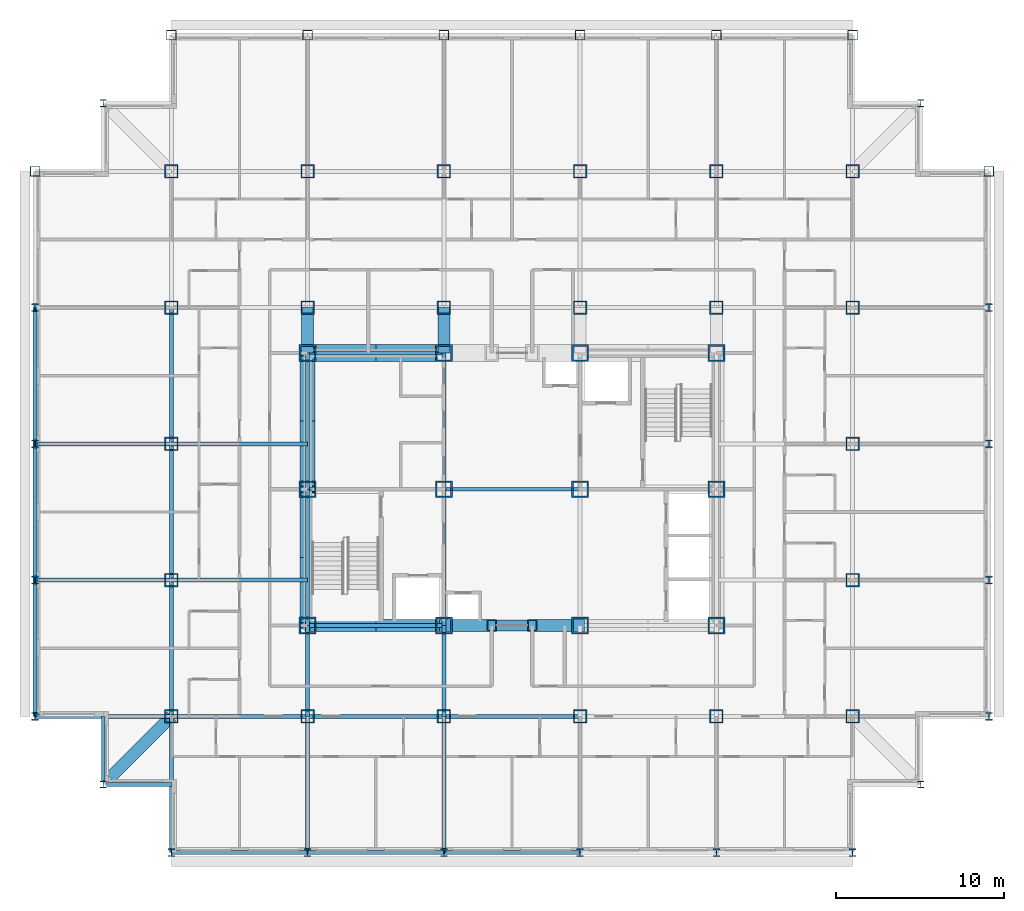
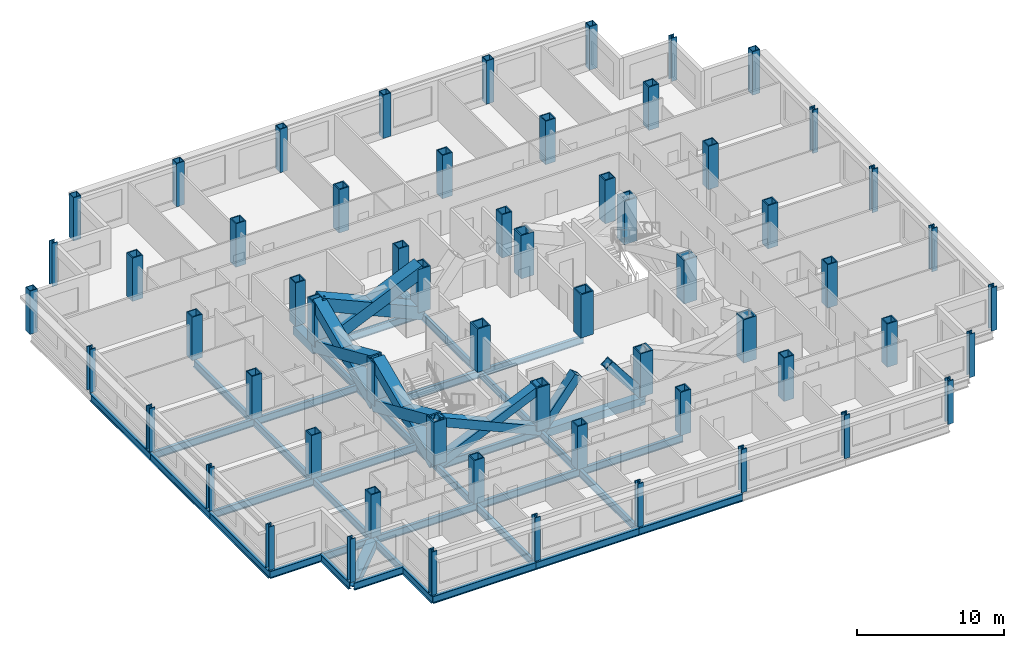
# One storey, part 1 of 12: 60 columns, 36 beams, 10 members.
"""IFC4 building model written with IfcOpenShell, lengths in metres."""

import ifcopenshell
import ifcopenshell.guid

model = None  # the IFC model being written
_history = None  # IfcOwnerHistory: only IFC2X3 demands one
_inside = {}  # id of a spatial element -> (the spatial element, [elements in it])
_under = {}  # id of a project, library or spatial element -> (it, [spatial elements below it])
_declared = {}  # id of a project -> (the project, [libraries it declares])
_typed = {}  # id of a type object -> (the type object, [elements of that type])
_made_of = {}  # id of a material, layer set ... -> (it, [elements and type objects made of it])


def new_model(schema):
    """Start an empty IFC model of exactly this schema.

    Asked for "IFC4X3", IfcOpenShell would pick the latest addendum, in which some entities
    have other attributes; the version numbers below select the first issue.
    IFC2X3 requires an IfcOwnerHistory on every rooted entity: one is made here for all.
    """
    global model, _history
    if schema == "IFC4X3":
        model = ifcopenshell.file(schema_version=(4, 3, 0, 0))
    else:
        model = ifcopenshell.file(schema=schema)
    _inside.clear()
    _under.clear()
    _declared.clear()
    _typed.clear()
    _made_of.clear()
    _history = None
    if model.schema == "IFC2X3":
        org = make("IfcOrganization", Name="unknown")
        user = make(
            "IfcPersonAndOrganization",
            ThePerson=make("IfcPerson", FamilyName="unknown"),
            TheOrganization=org,
        )
        app = make(
            "IfcApplication",
            ApplicationDeveloper=org,
            Version="unknown",
            ApplicationFullName="unknown",
            ApplicationIdentifier="unknown",
        )
        _history = make(
            "IfcOwnerHistory",
            OwningUser=user,
            OwningApplication=app,
            ChangeAction="ADDED",
            CreationDate=0,
        )
    return model


def make(cls, **values):
    """One entity of the class cls with the attributes given. An attribute that is None is left unset."""
    return model.create_entity(
        cls, **{name: value for name, value in values.items() if value is not None}
    )


def rooted(cls, **values):
    """An entity with a GlobalId (a new one), such as an element, a storey or a relation."""
    return make(cls, GlobalId=ifcopenshell.guid.new(), OwnerHistory=_history, **values)


def si_unit(unit_type, name, prefix=None):
    """IfcSIUnit, for example si_unit("LENGTHUNIT", "METRE", prefix="MILLI")."""
    return make("IfcSIUnit", UnitType=unit_type, Prefix=prefix, Name=name)


def assignment(units):
    """IfcUnitAssignment: the units of a project."""
    return None if units is None else make("IfcUnitAssignment", Units=units)


def point(xyz):
    """IfcCartesianPoint."""
    return None if xyz is None else make("IfcCartesianPoint", Coordinates=xyz)


def direction(xyz):
    """IfcDirection."""
    return None if xyz is None else make("IfcDirection", DirectionRatios=xyz)


def frame(location, z_axis=None, x_axis=None):
    """IfcAxis2Placement3D, a coordinate frame: its origin and axes. An axis left out is left unset."""
    return make(
        "IfcAxis2Placement3D",
        Location=point(location),
        Axis=direction(z_axis),
        RefDirection=direction(x_axis),
    )


def frame_2d(location, x_axis=None):
    """IfcAxis2Placement2D, a coordinate frame in the plane: its origin and x axis."""
    return make(
        "IfcAxis2Placement2D", Location=point(location), RefDirection=direction(x_axis)
    )


def origin():
    """The frame at (0, 0, 0) with its axes left unset."""
    return frame((0.0, 0.0, 0.0))


def origin_2d():
    """The frame at (0, 0) in the plane with its x axis left unset."""
    return frame_2d((0.0, 0.0))


def place(relative_to, where):
    """IfcLocalPlacement: puts the frame where relative to a parent placement (None: the world)."""
    return make(
        "IfcLocalPlacement", PlacementRelTo=relative_to, RelativePlacement=where
    )


def context(
    kind, dimensions, precision=None, world=None, true_north=None, identifier=None
):
    """IfcGeometricRepresentationContext, for example the 3D "Model" context."""
    return make(
        "IfcGeometricRepresentationContext",
        ContextIdentifier=identifier,
        ContextType=kind,
        CoordinateSpaceDimension=dimensions,
        Precision=precision,
        WorldCoordinateSystem=world,
        TrueNorth=true_north,
    )


def subcontext(parent, identifier, kind, view, scale=None):
    """IfcGeometricRepresentationSubContext, for example "Body" below "Model"."""
    return make(
        "IfcGeometricRepresentationSubContext",
        ContextIdentifier=identifier,
        ContextType=kind,
        ParentContext=parent,
        TargetScale=scale,
        TargetView=view,
    )


def project(units=None, contexts=None):
    """IfcProject with its units and contexts."""
    return rooted(
        "IfcProject",
        Name="project",
        RepresentationContexts=contexts,
        UnitsInContext=assignment(units),
    )


def spatial(cls, under=None, at=None, **own):
    """A site, building, storey or space (cls), placed at a placement, below another one or the project."""
    s = rooted(cls, ObjectPlacement=at, **own)
    if under is not None:
        _under.setdefault(under.id(), (under, []))[1].append(s)
    return s


def profile(cls, at=None, kind="AREA", **sizes):
    """A parametric profile (cls). Its sizes go by their IFC names, for example OverallWidth=200.0."""
    return make(cls, ProfileType=kind, Position=at, **sizes)


def hollow_rectangle(**sizes):
    """IfcRectangleHollowProfileDef."""
    return profile("IfcRectangleHollowProfileDef", **sizes)


def i_section(**sizes):
    """IfcIShapeProfileDef."""
    return profile("IfcIShapeProfileDef", **sizes)


def extrude(swept, where, along, depth):
    """IfcExtrudedAreaSolid: the profile swept, set in the frame where, extruded along a direction by depth."""
    return make(
        "IfcExtrudedAreaSolid",
        SweptArea=swept,
        Position=where,
        ExtrudedDirection=direction(along),
        Depth=depth,
    )


def shape(context_of_items, identifier, shape_type, items):
    """IfcShapeRepresentation: the items that make up one representation, for example the "Body"."""
    return make(
        "IfcShapeRepresentation",
        ContextOfItems=context_of_items,
        RepresentationIdentifier=identifier,
        RepresentationType=shape_type,
        Items=items,
    )


def material(Name=None, Category=None):
    """IfcMaterial."""
    return make("IfcMaterial", Name=Name, Category=Category)


def material_profile(
    of_material, cross_section, Name=None, Category=None, Priority=None
):
    """IfcMaterialProfile: a cross section and its material."""
    return make(
        "IfcMaterialProfile",
        Name=Name,
        Material=of_material,
        Profile=cross_section,
        Priority=Priority,
        Category=Category,
    )


def profile_set(profiles, Name=None, composite=None):
    """IfcMaterialProfileSet."""
    return make(
        "IfcMaterialProfileSet",
        Name=Name,
        MaterialProfiles=profiles,
        CompositeProfile=composite,
    )


def made_of(thing, what):
    """Note that an element or type object is made of a material, layer set ...; save() writes the relation."""
    if what is not None:
        _made_of.setdefault(what.id(), (what, []))[1].append(thing)
    return thing


def type_object(cls, material=None, **own):
    """A type object (cls), such as IfcWallType, which elements share."""
    return made_of(rooted(cls, **own), material)


def element(
    cls,
    number,
    at=None,
    inside=None,
    cuts=None,
    type_object=None,
    material=None,
    context=None,
    identifier="Body",
    shape_type=None,
    held_by="IfcProductDefinitionShape",
    body=None,
    shapes=None,
    **own,
):
    """One element of the class cls, such as IfcWall. Its Tag is "e" and its number.

    at: its placement. inside: the storey or other place that contains it. cuts: it is an
    opening in that element (IfcRelVoidsElement). A single representation is given by context,
    identifier, shape_type and body (its items); several are given by shapes. held_by: the class
    of the entity that holds the representations. save() writes the other relations.
    """
    e = rooted(cls, Tag="e%d" % number, ObjectPlacement=at, **own)
    if body is not None:
        shapes = [shape(context, identifier, shape_type, body)]
    if shapes is not None:
        e.Representation = make(held_by, Representations=shapes)
    if inside is not None:
        _inside.setdefault(inside.id(), (inside, []))[1].append(e)
    if cuts is not None:
        rooted(
            "IfcRelVoidsElement", RelatingBuildingElement=cuts, RelatedOpeningElement=e
        )
    if type_object is not None:
        _typed.setdefault(type_object.id(), (type_object, []))[1].append(e)
    return made_of(e, material)


def aggregate(whole, parts):
    """IfcRelAggregates: a whole, such as a stair, and the parts it consists of."""
    return rooted("IfcRelAggregates", RelatingObject=whole, RelatedObjects=parts)


def save(model, path):
    """Write the relations noted so far, then the file.

    IfcRelAggregates (storeys below a building ...), IfcRelContainedInSpatialStructure (elements
    in a storey), IfcRelDefinesByType, IfcRelAssociatesMaterial and IfcRelDeclares: one each for
    every whole, place, type object, material and project.
    """
    for whole, parts in _under.values():
        aggregate(whole, parts)
    for where, things in _inside.values():
        rooted(
            "IfcRelContainedInSpatialStructure",
            RelatedElements=things,
            RelatingStructure=where,
        )
    for kind, things in _typed.values():
        rooted("IfcRelDefinesByType", RelatedObjects=things, RelatingType=kind)
    for what, things in _made_of.values():
        rooted("IfcRelAssociatesMaterial", RelatedObjects=things, RelatingMaterial=what)
    for by, libraries in _declared.values():
        rooted("IfcRelDeclares", RelatingContext=by, RelatedDefinitions=libraries)
    model.write(path)


model = new_model("IFC4")

# Units and contexts
model_context = context("Model", 3, precision=1e-05, world=origin(), true_north=direction((0.0, 1.0)))
body_context = subcontext(model_context, "Body", "Model", "MODEL_VIEW")
ifc_project = project(units=[si_unit("LENGTHUNIT", "METRE"), si_unit("AREAUNIT", "SQUARE_METRE"), si_unit("VOLUMEUNIT", "CUBIC_METRE"), si_unit("PLANEANGLEUNIT", "RADIAN"), si_unit("MASSUNIT", "GRAM", prefix="KILO")], contexts=[model_context])

# Site, building, storey
site_placement = place(None, origin())
site = spatial("IfcSite", under=ifc_project, at=site_placement, CompositionType="ELEMENT")
building_placement = place(site_placement, origin())
building = spatial("IfcBuilding", under=site, at=building_placement, Name="Kopane Lantern Tower", CompositionType="ELEMENT")
storey_placement = place(building_placement, frame((0.0, 0.0, 184.800048828125)))
storey = spatial("IfcBuildingStorey", under=building, at=storey_placement, Name="L47", CompositionType="ELEMENT", Elevation=184.800048828125)

# Columns
ifc_material_1 = material(Name="Steel S355JR", Category="steel")
ifc_material_profile_1 = material_profile(ifc_material_1, hollow_rectangle(XDim=1.0, YDim=1.0, WallThickness=0.10009765625, at=origin_2d()), Name="BOX 1000x1000x100")
ifc_profile_set_1 = profile_set([ifc_material_profile_1], Name="Steel S355JR")
column_type_1 = type_object("IfcColumnType", Name="COLUMN BOX 1000x1000x100", PredefinedType="COLUMN", material=ifc_profile_set_1)
for number, where, z_axis, x_axis, name in (
    (1, (16.199951171875, 24.300048828125, 0.0), (0.0, 0.0, 1.0), (1.0, 0.0, 0.0), "Column 4/E L47"),
    (2, (16.199951171875, 32.39990234375, 0.0), (0.0, 0.0, 1.0), (1.0, 0.0, 0.0), "Column 4/F L47"),
    (3, (16.199951171875, 40.5, 0.0), (0.0, 0.0, 1.0), (1.0, 0.0, 0.0), "Column 4/G L47"),
    (4, (24.300048828125, 24.300048828125, 0.0), (0.0, 0.0, 1.0), (1.0, 0.0, 0.0), "Column 5/E L47"),
    (5, (24.300048828125, 32.39990234375, 0.0), (0.0, 0.0, 1.0), (1.0, 0.0, 0.0), "Column 5/F L47"),
    (6, (24.300048828125, 40.5, 0.0), (0.0, 0.0, 1.0), (1.0, 0.0, 0.0), "Column 5/G L47"),
    (7, (32.39990234375, 24.300048828125, 0.0), (0.0, 0.0, 1.0), (1.0, 0.0, 0.0), "Column 6/E L47"),
    (8, (32.39990234375, 32.39990234375, 0.0), (0.0, 0.0, 1.0), (1.0, 0.0, 0.0), "Column 6/F L47"),
    (9, (32.39990234375, 40.5, 0.0), (0.0, 0.0, 1.0), (1.0, 0.0, 0.0), "Column 6/G L47"),
    (10, (40.5, 24.300048828125, 0.0), (0.0, 0.0, 1.0), (1.0, 0.0, 0.0), "Column 7/E L47"),
    (11, (40.5, 32.39990234375, 0.0), (0.0, 0.0, 1.0), (1.0, 0.0, 0.0), "Column 7/F L47"),
    (12, (40.5, 40.5, 0.0), (0.0, 0.0, 1.0), (1.0, 0.0, 0.0), "Column 7/G L47"),
):
    element("IfcColumn", number, at=place(storey_placement, frame(where, z_axis=z_axis, x_axis=x_axis)), inside=storey, type_object=column_type_1, Name=name, PredefinedType="COLUMN", context=body_context, shape_type="SweptSolid", body=[
        extrude(hollow_rectangle(XDim=1.0, YDim=1.0, WallThickness=0.10009765625, at=origin_2d()), origin(), (0.0, 0.0, 1.0), 3.599853515625),
    ])
ifc_material_2 = material(Name="Steel S355JR", Category="steel")
ifc_material_profile_2 = material_profile(ifc_material_2, hollow_rectangle(XDim=0.60009765625, YDim=0.60009765625, WallThickness=0.050048828125, at=origin_2d()), Name="BOX 600x600x50")
ifc_profile_set_2 = profile_set([ifc_material_profile_2], Name="Steel S355JR")
column_type_2 = type_object("IfcColumnType", Name="COLUMN BOX 600x600x50", PredefinedType="COLUMN", material=ifc_profile_set_2)
for number, where, z_axis, x_axis, name in (
    (13, (0.0, 51.300048828125, 0.0), (0.0, 0.0, 1.0), (1.0, 0.0, 0.0), "Column 2/Q6 L47"),
    (14, (8.10009765625, 59.39990234375, 0.0), (0.0, 0.0, 1.0), (1.0, 0.0, 0.0), "Column 3/Q7 L47"),
    (15, (16.199951171875, 59.39990234375, 0.0), (0.0, 0.0, 1.0), (1.0, 0.0, 0.0), "Column 4/Q7 L47"),
    (16, (24.300048828125, 59.39990234375, 0.0), (0.0, 0.0, 1.0), (1.0, 0.0, 0.0), "Column 5/Q7 L47"),
    (17, (32.39990234375, 59.39990234375, 0.0), (0.0, 0.0, 1.0), (1.0, 0.0, 0.0), "Column 6/Q7 L47"),
    (18, (40.5, 59.39990234375, 0.0), (0.0, 0.0, 1.0), (1.0, 0.0, 0.0), "Column 7/Q7 L47"),
    (19, (48.60009765625, 59.39990234375, 0.0), (0.0, 0.0, 1.0), (1.0, 0.0, 0.0), "Column 8/Q7 L47"),
    (20, (56.699951171875, 51.300048828125, 0.0), (0.0, 0.0, 1.0), (1.0, 0.0, 0.0), "Column 9/Q6 L47"),
):
    element("IfcColumn", number, at=place(storey_placement, frame(where, z_axis=z_axis, x_axis=x_axis)), inside=storey, type_object=column_type_2, Name=name, PredefinedType="COLUMN", context=body_context, shape_type="SweptSolid", body=[
        extrude(hollow_rectangle(XDim=0.60009765625, YDim=0.60009765625, WallThickness=0.050048828125, at=origin_2d()), origin(), (0.0, 0.0, 1.0), 3.599853515625),
    ])
ifc_material_3 = material(Name="Steel S355JR", Category="steel")
ifc_material_profile_3 = material_profile(ifc_material_3, hollow_rectangle(XDim=0.800048828125, YDim=0.800048828125, WallThickness=0.080078125, at=origin_2d()), Name="BOX 800x800x80")
ifc_profile_set_3 = profile_set([ifc_material_profile_3], Name="Steel S355JR")
column_type_3 = type_object("IfcColumnType", Name="COLUMN BOX 800x800x80", PredefinedType="COLUMN", material=ifc_profile_set_3)
for number, where, z_axis, x_axis, name in (
    (21, (8.10009765625, 18.89990234375, 0.0), (0.0, 0.0, 1.0), (1.0, 0.0, 0.0), "Column 3/Q2 L47"),
    (22, (8.10009765625, 27.0, 0.0), (0.0, 0.0, 1.0), (1.0, 0.0, 0.0), "Column 3/Q3 L47"),
    (23, (8.10009765625, 35.10009765625, 0.0), (0.0, 0.0, 1.0), (1.0, 0.0, 0.0), "Column 3/Q4 L47"),
    (24, (8.10009765625, 43.199951171875, 0.0), (0.0, 0.0, 1.0), (1.0, 0.0, 0.0), "Column 3/Q5 L47"),
    (25, (8.10009765625, 51.300048828125, 0.0), (0.0, 0.0, 1.0), (1.0, 0.0, 0.0), "Column 3/Q6 L47"),
    (26, (16.199951171875, 18.89990234375, 0.0), (0.0, 0.0, 1.0), (1.0, 0.0, 0.0), "Column 4/Q2 L47"),
    (27, (16.199951171875, 43.199951171875, 0.0), (0.0, 0.0, 1.0), (1.0, 0.0, 0.0), "Column 4/Q5 L47"),
    (28, (16.199951171875, 51.300048828125, 0.0), (0.0, 0.0, 1.0), (1.0, 0.0, 0.0), "Column 4/Q6 L47"),
    (29, (24.300048828125, 18.89990234375, 0.0), (0.0, 0.0, 1.0), (1.0, 0.0, 0.0), "Column 5/Q2 L47"),
    (30, (24.300048828125, 43.199951171875, 0.0), (0.0, 0.0, 1.0), (1.0, 0.0, 0.0), "Column 5/Q5 L47"),
    (31, (24.300048828125, 51.300048828125, 0.0), (0.0, 0.0, 1.0), (1.0, 0.0, 0.0), "Column 5/Q6 L47"),
    (32, (32.39990234375, 18.89990234375, 0.0), (0.0, 0.0, 1.0), (1.0, 0.0, 0.0), "Column 6/Q2 L47"),
    (33, (32.39990234375, 43.199951171875, 0.0), (0.0, 0.0, 1.0), (1.0, 0.0, 0.0), "Column 6/Q5 L47"),
    (34, (32.39990234375, 51.300048828125, 0.0), (0.0, 0.0, 1.0), (1.0, 0.0, 0.0), "Column 6/Q6 L47"),
    (35, (40.5, 18.89990234375, 0.0), (0.0, 0.0, 1.0), (1.0, 0.0, 0.0), "Column 7/Q2 L47"),
    (36, (40.5, 43.199951171875, 0.0), (0.0, 0.0, 1.0), (1.0, 0.0, 0.0), "Column 7/Q5 L47"),
    (37, (40.5, 51.300048828125, 0.0), (0.0, 0.0, 1.0), (1.0, 0.0, 0.0), "Column 7/Q6 L47"),
    (38, (48.60009765625, 18.89990234375, 0.0), (0.0, 0.0, 1.0), (1.0, 0.0, 0.0), "Column 8/Q2 L47"),
    (39, (48.60009765625, 27.0, 0.0), (0.0, 0.0, 1.0), (1.0, 0.0, 0.0), "Column 8/Q3 L47"),
    (40, (48.60009765625, 35.10009765625, 0.0), (0.0, 0.0, 1.0), (1.0, 0.0, 0.0), "Column 8/Q4 L47"),
    (41, (48.60009765625, 43.199951171875, 0.0), (0.0, 0.0, 1.0), (1.0, 0.0, 0.0), "Column 8/Q5 L47"),
    (42, (48.60009765625, 51.300048828125, 0.0), (0.0, 0.0, 1.0), (1.0, 0.0, 0.0), "Column 8/Q6 L47"),
):
    element("IfcColumn", number, at=place(storey_placement, frame(where, z_axis=z_axis, x_axis=x_axis)), inside=storey, type_object=column_type_3, Name=name, PredefinedType="COLUMN", context=body_context, shape_type="SweptSolid", body=[
        extrude(hollow_rectangle(XDim=0.800048828125, YDim=0.800048828125, WallThickness=0.080078125, at=origin_2d()), origin(), (0.0, 0.0, 1.0), 3.599853515625),
    ])
ifc_material_4 = material(Name="Steel S355JR", Category="steel")
ifc_material_profile_4 = material_profile(ifc_material_4, i_section(OverallWidth=0.406982421875, OverallDepth=0.4189453125, WebThickness=0.030517578125, FlangeThickness=0.04931640625, FilletRadius=0.01513671875, at=origin_2d()), Name="UC 356x406x393")
ifc_profile_set_4 = profile_set([ifc_material_profile_4], Name="Steel S355JR")
column_type_4 = type_object("IfcColumnType", Name="COLUMN UC 356x406x393", PredefinedType="COLUMN", material=ifc_profile_set_4)
for number, where, z_axis, x_axis, name in (
    (43, (4.050048828125, 14.85009765625, 0.0), (0.0, 0.0, 1.0), (1.0, 0.0, 0.0), "Column 4.05/14.85 L47"),
    (44, (4.050048828125, 55.35009765625, 0.0), (0.0, 0.0, 1.0), (1.0, 0.0, 0.0), "Column 4.05/55.35 L47"),
    (45, (52.64990234375, 14.85009765625, 0.0), (0.0, 0.0, 1.0), (1.0, 0.0, 0.0), "Column 52.65/14.85 L47"),
    (46, (52.64990234375, 55.35009765625, 0.0), (0.0, 0.0, 1.0), (1.0, 0.0, 0.0), "Column 52.65/55.35 L47"),
):
    element("IfcColumn", number, at=place(storey_placement, frame(where, z_axis=z_axis, x_axis=x_axis)), inside=storey, type_object=column_type_4, Name=name, PredefinedType="COLUMN", context=body_context, shape_type="SweptSolid", body=[
        extrude(i_section(OverallWidth=0.406982421875, OverallDepth=0.4189453125, WebThickness=0.030517578125, FlangeThickness=0.04931640625, FilletRadius=0.01513671875, at=origin_2d()), origin(), (0.0, 0.0, 1.0), 3.599853515625),
    ])
ifc_material_5 = material(Name="Steel S355JR", Category="steel")
ifc_material_profile_5 = material_profile(ifc_material_5, i_section(OverallWidth=0.424072265625, OverallDepth=0.474609375, WebThickness=0.047607421875, FlangeThickness=0.076904296875, FilletRadius=0.01513671875, at=origin_2d()), Name="UC 356x406x634")
ifc_profile_set_5 = profile_set([ifc_material_profile_5], Name="Steel S355JR")
column_type_5 = type_object("IfcColumnType", Name="COLUMN UC 356x406x634", PredefinedType="COLUMN", material=ifc_profile_set_5)
for number, where, z_axis, x_axis, name in (
    (47, (0.0, 18.89990234375, 0.0), (0.0, 0.0, 1.0), (1.0, 0.0, 0.0), "Column 2/Q2 L47"),
    (48, (0.0, 27.0, 0.0), (0.0, 0.0, 1.0), (1.0, 0.0, 0.0), "Column 2/Q3 L47"),
    (49, (0.0, 35.10009765625, 0.0), (0.0, 0.0, 1.0), (1.0, 0.0, 0.0), "Column 2/Q4 L47"),
    (50, (0.0, 43.199951171875, 0.0), (0.0, 0.0, 1.0), (1.0, 0.0, 0.0), "Column 2/Q5 L47"),
    (51, (8.10009765625, 10.800048828125, 0.0), (0.0, 0.0, 1.0), (1.0, 0.0, 0.0), "Column 3/Q1 L47"),
    (52, (16.199951171875, 10.800048828125, 0.0), (0.0, 0.0, 1.0), (1.0, 0.0, 0.0), "Column 4/Q1 L47"),
    (53, (24.300048828125, 10.800048828125, 0.0), (0.0, 0.0, 1.0), (1.0, 0.0, 0.0), "Column 5/Q1 L47"),
    (54, (32.39990234375, 10.800048828125, 0.0), (0.0, 0.0, 1.0), (1.0, 0.0, 0.0), "Column 6/Q1 L47"),
    (55, (40.5, 10.800048828125, 0.0), (0.0, 0.0, 1.0), (1.0, 0.0, 0.0), "Column 7/Q1 L47"),
    (56, (48.60009765625, 10.800048828125, 0.0), (0.0, 0.0, 1.0), (1.0, 0.0, 0.0), "Column 8/Q1 L47"),
    (57, (56.699951171875, 18.89990234375, 0.0), (0.0, 0.0, 1.0), (1.0, 0.0, 0.0), "Column 9/Q2 L47"),
    (58, (56.699951171875, 27.0, 0.0), (0.0, 0.0, 1.0), (1.0, 0.0, 0.0), "Column 9/Q3 L47"),
    (59, (56.699951171875, 35.10009765625, 0.0), (0.0, 0.0, 1.0), (1.0, 0.0, 0.0), "Column 9/Q4 L47"),
    (60, (56.699951171875, 43.199951171875, 0.0), (0.0, 0.0, 1.0), (1.0, 0.0, 0.0), "Column 9/Q5 L47"),
):
    element("IfcColumn", number, at=place(storey_placement, frame(where, z_axis=z_axis, x_axis=x_axis)), inside=storey, type_object=column_type_5, Name=name, PredefinedType="COLUMN", context=body_context, shape_type="SweptSolid", body=[
        extrude(i_section(OverallWidth=0.424072265625, OverallDepth=0.474609375, WebThickness=0.047607421875, FlangeThickness=0.076904296875, FilletRadius=0.01513671875, at=origin_2d()), origin(), (0.0, 0.0, 1.0), 3.599853515625),
    ])

# Members
ifc_material_6 = material(Name="Steel S355JR", Category="steel")
ifc_material_profile_6 = material_profile(ifc_material_6, hollow_rectangle(XDim=1.0, YDim=1.0, WallThickness=0.10009765625, at=origin_2d()), Name="BOX 1000x1000x100")
ifc_profile_set_6 = profile_set([ifc_material_profile_6], Name="Steel S355JR")
member_type_1 = type_object("IfcMemberType", Name="BRACE BOX 1000x1000x100", PredefinedType="BRACE", material=ifc_profile_set_6)
for number, where, z_axis, x_axis, name in (
    (61, (16.199951171875, 40.5, -0.2099609375), (0.913819498983, 0.0, 0.406120577265), (0.0, 1.0, 0.0), "Core brace L47"),
    (62, (24.300048828125, 40.5, -0.2099609375), (-0.913819498983, 0.0, 0.406120577265), (0.0, -1.0, 0.0), "Core brace L47"),
):
    element("IfcMember", number, at=place(storey_placement, frame(where, z_axis=z_axis, x_axis=x_axis)), inside=storey, type_object=member_type_1, Name=name, PredefinedType="BRACE", context=body_context, shape_type="SweptSolid", body=[
        extrude(hollow_rectangle(XDim=1.0, YDim=1.0, WallThickness=0.10009765625, at=origin_2d()), origin(), (0.0, 0.0, 1.0), 8.864013671875),
    ])
ifc_material_7 = material(Name="Steel S355JR", Category="steel")
ifc_material_profile_7 = material_profile(ifc_material_7, hollow_rectangle(XDim=0.699951171875, YDim=0.699951171875, WallThickness=0.06005859375, at=origin_2d()), Name="BOX 700x700x60")
ifc_profile_set_7 = profile_set([ifc_material_profile_7], Name="Steel S355JR")
member_type_2 = type_object("IfcMemberType", Name="BRACE BOX 700x700x60", PredefinedType="BRACE", material=ifc_profile_set_7)
for number, where, z_axis, x_axis, name in (
    (63, (16.199951171875, 24.300048828125, -0.2099609375), (0.913819498983, 0.0, 0.406120577265), (0.0, 1.0, 0.0), "Core brace L47"),
    (64, (24.300048828125, 24.300048828125, -0.2099609375), (-0.913819498983, 0.0, 0.406120577265), (0.0, -1.0, 0.0), "Core brace L47"),
):
    element("IfcMember", number, at=place(storey_placement, frame(where, z_axis=z_axis, x_axis=x_axis)), inside=storey, type_object=member_type_2, Name=name, PredefinedType="BRACE", context=body_context, shape_type="SweptSolid", body=[
        extrude(hollow_rectangle(XDim=0.699951171875, YDim=0.699951171875, WallThickness=0.06005859375, at=origin_2d()), origin(), (0.0, 0.0, 1.0), 8.864013671875),
    ])
for number, where, z_axis, x_axis, name in (
    (65, (24.300048828125, 24.300048828125, -0.2099609375), (0.620698858423, 0.0, 0.784049059149), (0.0, 1.0, 0.0), "Core brace L47"),
    (66, (32.39990234375, 24.300048828125, -0.2099609375), (-0.620698858423, 0.0, 0.784049059149), (0.0, -1.0, 0.0), "Core brace L47"),
):
    element("IfcMember", number, at=place(storey_placement, frame(where, z_axis=z_axis, x_axis=x_axis)), inside=storey, type_object=member_type_2, Name=name, PredefinedType="BRACE", context=body_context, shape_type="SweptSolid", body=[
        extrude(hollow_rectangle(XDim=0.699951171875, YDim=0.699951171875, WallThickness=0.06005859375, at=origin_2d()), origin(), (0.0, 0.0, 1.0), 4.59130859375),
    ])
ifc_material_8 = material(Name="Steel S355JR", Category="steel")
ifc_material_profile_8 = material_profile(ifc_material_8, hollow_rectangle(XDim=0.89990234375, YDim=0.89990234375, WallThickness=0.090087890625, at=origin_2d()), Name="BOX 900x900x90")
ifc_profile_set_8 = profile_set([ifc_material_profile_8], Name="Steel S355JR")
member_type_3 = type_object("IfcMemberType", Name="BRACE BOX 900x900x90", PredefinedType="BRACE", material=ifc_profile_set_8)
for number, where, z_axis, x_axis, name in (
    (67, (16.199951171875, 24.300048828125, -0.2099609375), (0.0, 0.913814956047, 0.406130799256), (-1.0, 0.0, 0.0), "Core brace L47"),
    (68, (16.199951171875, 32.39990234375, -0.2099609375), (0.0, -0.913814956047, 0.406130799256), (1.0, 0.0, 0.0), "Core brace L47"),
):
    element("IfcMember", number, at=place(storey_placement, frame(where, z_axis=z_axis, x_axis=x_axis)), inside=storey, type_object=member_type_3, Name=name, PredefinedType="BRACE", context=body_context, shape_type="SweptSolid", body=[
        extrude(hollow_rectangle(XDim=0.89990234375, YDim=0.89990234375, WallThickness=0.090087890625, at=origin_2d()), origin(), (0.0, 0.0, 1.0), 8.86376953125),
    ])
for number, where, z_axis, x_axis, name in (
    (69, (16.199951171875, 32.39990234375, -0.2099609375), (0.0, 0.913819498983, 0.406120577265), (-1.0, 0.0, 0.0), "Core brace L47"),
    (70, (16.199951171875, 40.5, -0.2099609375), (0.0, -0.913819498983, 0.406120577265), (1.0, 0.0, 0.0), "Core brace L47"),
):
    element("IfcMember", number, at=place(storey_placement, frame(where, z_axis=z_axis, x_axis=x_axis)), inside=storey, type_object=member_type_3, Name=name, PredefinedType="BRACE", context=body_context, shape_type="SweptSolid", body=[
        extrude(hollow_rectangle(XDim=0.89990234375, YDim=0.89990234375, WallThickness=0.090087890625, at=origin_2d()), origin(), (0.0, 0.0, 1.0), 8.864013671875),
    ])

# Beams
ifc_material_9 = material(Name="Steel S355JR", Category="steel")
ifc_material_profile_9 = material_profile(ifc_material_9, i_section(OverallWidth=0.22900390625, OverallDepth=0.6123046875, WebThickness=0.011962890625, FlangeThickness=0.01953125, FilletRadius=0.0126953125, at=origin_2d()), Name="UB 610x229x125")
ifc_profile_set_9 = profile_set([ifc_material_profile_9], Name="Steel S355JR")
beam_type_1 = type_object("IfcBeamType", Name="CORE BEAM UB 610x229x125", PredefinedType="BEAM", material=ifc_profile_set_9)
beam_1_placement = place(storey_placement, frame((16.199951171875, 32.39990234375, -0.51611328125), z_axis=(1.0, 0.0, 0.0), x_axis=(0.0, 1.0, 0.0)))
element("IfcBeam", 71, at=beam_1_placement, inside=storey, type_object=beam_type_1, Name="Core Beam L47", PredefinedType="BEAM", context=body_context, shape_type="SweptSolid", body=[
    extrude(i_section(OverallWidth=0.22900390625, OverallDepth=0.6123046875, WebThickness=0.011962890625, FlangeThickness=0.01953125, FilletRadius=0.0126953125, at=origin_2d()), origin(), (0.0, 0.0, 1.0), 8.10009765625),
])
beam_2_placement = place(storey_placement, frame((24.300048828125, 24.300048828125, -0.51611328125), z_axis=(0.0, 1.0, 0.0), x_axis=(-1.0, 0.0, 0.0)))
element("IfcBeam", 72, at=beam_2_placement, inside=storey, type_object=beam_type_1, Name="Core Beam L47", PredefinedType="BEAM", context=body_context, shape_type="SweptSolid", body=[
    extrude(i_section(OverallWidth=0.22900390625, OverallDepth=0.6123046875, WebThickness=0.011962890625, FlangeThickness=0.01953125, FilletRadius=0.0126953125, at=origin_2d()), origin(), (0.0, 0.0, 1.0), 8.099853515625),
])
beam_3_placement = place(storey_placement, frame((24.300048828125, 32.39990234375, -0.51611328125), z_axis=(0.0, 1.0, 0.0), x_axis=(-1.0, 0.0, 0.0)))
element("IfcBeam", 73, at=beam_3_placement, inside=storey, type_object=beam_type_1, Name="Core Beam L47", PredefinedType="BEAM", context=body_context, shape_type="SweptSolid", body=[
    extrude(i_section(OverallWidth=0.22900390625, OverallDepth=0.6123046875, WebThickness=0.011962890625, FlangeThickness=0.01953125, FilletRadius=0.0126953125, at=origin_2d()), origin(), (0.0, 0.0, 1.0), 8.10009765625),
])
beam_4_placement = place(storey_placement, frame((24.300048828125, 32.39990234375, -0.51611328125), z_axis=(1.0, 0.0, 0.0), x_axis=(0.0, 1.0, 0.0)))
element("IfcBeam", 74, at=beam_4_placement, inside=storey, type_object=beam_type_1, Name="Core Beam L47", PredefinedType="BEAM", context=body_context, shape_type="SweptSolid", body=[
    extrude(i_section(OverallWidth=0.22900390625, OverallDepth=0.6123046875, WebThickness=0.011962890625, FlangeThickness=0.01953125, FilletRadius=0.0126953125, at=origin_2d()), origin(), (0.0, 0.0, 1.0), 8.099853515625),
])
ifc_material_10 = material(Name="Steel S355JR", Category="steel")
ifc_material_profile_10 = material_profile(ifc_material_10, hollow_rectangle(XDim=0.699951171875, YDim=0.699951171875, WallThickness=0.06005859375, at=origin_2d()), Name="BOX 700x700x60")
ifc_profile_set_10 = profile_set([ifc_material_profile_10], Name="Steel S355JR")
beam_type_2 = type_object("IfcBeamType", Name="CORNER TIE BEAM BOX 700x700x60", PredefinedType="BEAM", material=ifc_profile_set_10)
beam_5_placement = place(storey_placement, frame((4.447509765625, 15.24755859375, -0.56005859375), z_axis=(0.70713041325, 0.707083148333, 0.0), x_axis=(-0.707083148333, 0.70713041325, 0.0)))
element("IfcBeam", 75, at=beam_5_placement, inside=storey, type_object=beam_type_2, Name="Corner Tie Beam L47", PredefinedType="BEAM", context=body_context, shape_type="SweptSolid", body=[
    extrude(hollow_rectangle(XDim=0.699951171875, YDim=0.699951171875, WallThickness=0.06005859375, at=origin_2d()), origin(), (0.0, 0.0, 1.0), 5.165283203125),
])
ifc_material_11 = material(Name="Steel S355JR", Category="steel")
ifc_material_profile_11 = material_profile(ifc_material_11, i_section(OverallWidth=0.22900390625, OverallDepth=0.6123046875, WebThickness=0.011962890625, FlangeThickness=0.01953125, FilletRadius=0.0126953125, at=origin_2d()), Name="UB 610x229x125")
ifc_profile_set_11 = profile_set([ifc_material_profile_11], Name="Steel S355JR")
beam_type_3 = type_object("IfcBeamType", Name="EDGE BEAM UB 610x229x125", PredefinedType="BEAM", material=ifc_profile_set_11)
beam_6_placement = place(storey_placement, frame((4.050048828125, 15.053466796875, -0.51611328125), z_axis=(0.0, 1.0, 0.0), x_axis=(-1.0, 0.0, 0.0)))
element("IfcBeam", 76, at=beam_6_placement, inside=storey, type_object=beam_type_3, Name="Edge Beam L47", PredefinedType="BEAM", context=body_context, shape_type="SweptSolid", body=[
    extrude(i_section(OverallWidth=0.22900390625, OverallDepth=0.6123046875, WebThickness=0.011962890625, FlangeThickness=0.01953125, FilletRadius=0.0126953125, at=origin_2d()), origin(), (0.0, 0.0, 1.0), 3.846435546875),
])
beam_7_placement = place(storey_placement, frame((4.25341796875, 14.85009765625, -0.51611328125), z_axis=(1.0, 0.0, 0.0), x_axis=(0.0, 1.0, 0.0)))
element("IfcBeam", 77, at=beam_7_placement, inside=storey, type_object=beam_type_3, Name="Edge Beam L47", PredefinedType="BEAM", context=body_context, shape_type="SweptSolid", body=[
    extrude(i_section(OverallWidth=0.22900390625, OverallDepth=0.6123046875, WebThickness=0.011962890625, FlangeThickness=0.01953125, FilletRadius=0.0126953125, at=origin_2d()), origin(), (0.0, 0.0, 1.0), 3.8466796875),
])
ifc_material_12 = material(Name="Steel S355JR", Category="steel")
ifc_material_profile_12 = material_profile(ifc_material_12, hollow_rectangle(XDim=0.699951171875, YDim=0.699951171875, WallThickness=0.06005859375, at=origin_2d()), Name="BOX 700x700x60")
ifc_profile_set_12 = profile_set([ifc_material_profile_12], Name="Steel S355JR")
beam_type_4 = type_object("IfcBeamType", Name="GIRDER BOX 700x700x60", PredefinedType="BEAM", material=ifc_profile_set_12)
for number, where, z_axis, x_axis, name in (
    (78, (16.199951171875, 40.5, -0.56005859375), (0.0, 1.0, 0.0), (-1.0, 0.0, 0.0), "Girder L47"),
    (79, (24.300048828125, 40.5, -0.56005859375), (0.0, 1.0, 0.0), (-1.0, 0.0, 0.0), "Girder L47"),
):
    element("IfcBeam", number, at=place(storey_placement, frame(where, z_axis=z_axis, x_axis=x_axis)), inside=storey, type_object=beam_type_4, Name=name, PredefinedType="BEAM", context=body_context, shape_type="SweptSolid", body=[
        extrude(hollow_rectangle(XDim=0.699951171875, YDim=0.699951171875, WallThickness=0.06005859375, at=origin_2d()), origin(), (0.0, 0.0, 1.0), 2.699951171875),
    ])
ifc_material_13 = material(Name="Steel S355JR", Category="steel")
ifc_material_profile_13 = material_profile(ifc_material_13, i_section(OverallWidth=0.22900390625, OverallDepth=0.6123046875, WebThickness=0.011962890625, FlangeThickness=0.01953125, FilletRadius=0.0126953125, at=origin_2d()), Name="UB 610x229x125")
ifc_profile_set_13 = profile_set([ifc_material_profile_13], Name="Steel S355JR")
beam_type_5 = type_object("IfcBeamType", Name="GIRDER UB 610x229x125", PredefinedType="BEAM", material=ifc_profile_set_13)
for number, where, z_axis, x_axis, name in (
    (80, (0.0, 18.89990234375, -0.51611328125), (0.0, 1.0, 0.0), (-1.0, 0.0, 0.0), "Girder L47"),
    (81, (0.0, 18.89990234375, -0.51611328125), (1.0, 0.0, 0.0), (0.0, 1.0, 0.0), "Girder L47"),
    (82, (0.0, 27.0, -0.51611328125), (0.0, 1.0, 0.0), (-1.0, 0.0, 0.0), "Girder L47"),
    (83, (0.0, 27.0, -0.51611328125), (1.0, 0.0, 0.0), (0.0, 1.0, 0.0), "Girder L47"),
):
    element("IfcBeam", number, at=place(storey_placement, frame(where, z_axis=z_axis, x_axis=x_axis)), inside=storey, type_object=beam_type_5, Name=name, PredefinedType="BEAM", context=body_context, shape_type="SweptSolid", body=[
        extrude(i_section(OverallWidth=0.22900390625, OverallDepth=0.6123046875, WebThickness=0.011962890625, FlangeThickness=0.01953125, FilletRadius=0.0126953125, at=origin_2d()), origin(), (0.0, 0.0, 1.0), 8.10009765625),
    ])
beam_8_placement = place(storey_placement, frame((0.0, 35.10009765625, -0.51611328125), z_axis=(0.0, 1.0, 0.0), x_axis=(-1.0, 0.0, 0.0)))
element("IfcBeam", 84, at=beam_8_placement, inside=storey, type_object=beam_type_5, Name="Girder L47", PredefinedType="BEAM", context=body_context, shape_type="SweptSolid", body=[
    extrude(i_section(OverallWidth=0.22900390625, OverallDepth=0.6123046875, WebThickness=0.011962890625, FlangeThickness=0.01953125, FilletRadius=0.0126953125, at=origin_2d()), origin(), (0.0, 0.0, 1.0), 8.099853515625),
])
beam_9_placement = place(storey_placement, frame((0.0, 35.10009765625, -0.51611328125), z_axis=(1.0, 0.0, 0.0), x_axis=(0.0, 1.0, 0.0)))
element("IfcBeam", 85, at=beam_9_placement, inside=storey, type_object=beam_type_5, Name="Girder L47", PredefinedType="BEAM", context=body_context, shape_type="SweptSolid", body=[
    extrude(i_section(OverallWidth=0.22900390625, OverallDepth=0.6123046875, WebThickness=0.011962890625, FlangeThickness=0.01953125, FilletRadius=0.0126953125, at=origin_2d()), origin(), (0.0, 0.0, 1.0), 8.10009765625),
])
for number, where, z_axis, x_axis, name in (
    (86, (8.10009765625, 10.800048828125, -0.51611328125), (0.0, 1.0, 0.0), (-1.0, 0.0, 0.0), "Girder L47"),
    (87, (8.10009765625, 10.800048828125, -0.51611328125), (1.0, 0.0, 0.0), (0.0, 1.0, 0.0), "Girder L47"),
):
    element("IfcBeam", number, at=place(storey_placement, frame(where, z_axis=z_axis, x_axis=x_axis)), inside=storey, type_object=beam_type_5, Name=name, PredefinedType="BEAM", context=body_context, shape_type="SweptSolid", body=[
        extrude(i_section(OverallWidth=0.22900390625, OverallDepth=0.6123046875, WebThickness=0.011962890625, FlangeThickness=0.01953125, FilletRadius=0.0126953125, at=origin_2d()), origin(), (0.0, 0.0, 1.0), 8.099853515625),
    ])
beam_10_placement = place(storey_placement, frame((8.10009765625, 18.89990234375, -0.51611328125), z_axis=(0.0, 1.0, 0.0), x_axis=(-1.0, 0.0, 0.0)))
element("IfcBeam", 88, at=beam_10_placement, inside=storey, type_object=beam_type_5, Name="Girder L47", PredefinedType="BEAM", context=body_context, shape_type="SweptSolid", body=[
    extrude(i_section(OverallWidth=0.22900390625, OverallDepth=0.6123046875, WebThickness=0.011962890625, FlangeThickness=0.01953125, FilletRadius=0.0126953125, at=origin_2d()), origin(), (0.0, 0.0, 1.0), 8.10009765625),
])
beam_11_placement = place(storey_placement, frame((8.10009765625, 18.89990234375, -0.51611328125), z_axis=(1.0, 0.0, 0.0), x_axis=(0.0, 1.0, 0.0)))
element("IfcBeam", 89, at=beam_11_placement, inside=storey, type_object=beam_type_5, Name="Girder L47", PredefinedType="BEAM", context=body_context, shape_type="SweptSolid", body=[
    extrude(i_section(OverallWidth=0.22900390625, OverallDepth=0.6123046875, WebThickness=0.011962890625, FlangeThickness=0.01953125, FilletRadius=0.0126953125, at=origin_2d()), origin(), (0.0, 0.0, 1.0), 8.099853515625),
])
beam_12_placement = place(storey_placement, frame((8.10009765625, 27.0, -0.51611328125), z_axis=(0.0, 1.0, 0.0), x_axis=(-1.0, 0.0, 0.0)))
element("IfcBeam", 90, at=beam_12_placement, inside=storey, type_object=beam_type_5, Name="Girder L47", PredefinedType="BEAM", context=body_context, shape_type="SweptSolid", body=[
    extrude(i_section(OverallWidth=0.22900390625, OverallDepth=0.6123046875, WebThickness=0.011962890625, FlangeThickness=0.01953125, FilletRadius=0.0126953125, at=origin_2d()), origin(), (0.0, 0.0, 1.0), 8.10009765625),
])
for number, where, z_axis, x_axis, name in (
    (91, (8.10009765625, 27.0, -0.51611328125), (1.0, 0.0, 0.0), (0.0, 1.0, 0.0), "Girder L47"),
    (92, (8.10009765625, 35.10009765625, -0.51611328125), (0.0, 1.0, 0.0), (-1.0, 0.0, 0.0), "Girder L47"),
    (93, (8.10009765625, 35.10009765625, -0.51611328125), (1.0, 0.0, 0.0), (0.0, 1.0, 0.0), "Girder L47"),
    (94, (16.199951171875, 10.800048828125, -0.51611328125), (0.0, 1.0, 0.0), (-1.0, 0.0, 0.0), "Girder L47"),
):
    element("IfcBeam", number, at=place(storey_placement, frame(where, z_axis=z_axis, x_axis=x_axis)), inside=storey, type_object=beam_type_5, Name=name, PredefinedType="BEAM", context=body_context, shape_type="SweptSolid", body=[
        extrude(i_section(OverallWidth=0.22900390625, OverallDepth=0.6123046875, WebThickness=0.011962890625, FlangeThickness=0.01953125, FilletRadius=0.0126953125, at=origin_2d()), origin(), (0.0, 0.0, 1.0), 8.099853515625),
    ])
beam_13_placement = place(storey_placement, frame((16.199951171875, 10.800048828125, -0.51611328125), z_axis=(1.0, 0.0, 0.0), x_axis=(0.0, 1.0, 0.0)))
element("IfcBeam", 95, at=beam_13_placement, inside=storey, type_object=beam_type_5, Name="Girder L47", PredefinedType="BEAM", context=body_context, shape_type="SweptSolid", body=[
    extrude(i_section(OverallWidth=0.22900390625, OverallDepth=0.6123046875, WebThickness=0.011962890625, FlangeThickness=0.01953125, FilletRadius=0.0126953125, at=origin_2d()), origin(), (0.0, 0.0, 1.0), 8.10009765625),
])
beam_14_placement = place(storey_placement, frame((16.199951171875, 18.89990234375, -0.51611328125), z_axis=(0.0, 1.0, 0.0), x_axis=(-1.0, 0.0, 0.0)))
element("IfcBeam", 96, at=beam_14_placement, inside=storey, type_object=beam_type_5, Name="Girder L47", PredefinedType="BEAM", context=body_context, shape_type="SweptSolid", body=[
    extrude(i_section(OverallWidth=0.22900390625, OverallDepth=0.6123046875, WebThickness=0.011962890625, FlangeThickness=0.01953125, FilletRadius=0.0126953125, at=origin_2d()), origin(), (0.0, 0.0, 1.0), 5.400146484375),
])
beam_15_placement = place(storey_placement, frame((16.199951171875, 18.89990234375, -0.51611328125), z_axis=(1.0, 0.0, 0.0), x_axis=(0.0, 1.0, 0.0)))
element("IfcBeam", 97, at=beam_15_placement, inside=storey, type_object=beam_type_5, Name="Girder L47", PredefinedType="BEAM", context=body_context, shape_type="SweptSolid", body=[
    extrude(i_section(OverallWidth=0.22900390625, OverallDepth=0.6123046875, WebThickness=0.011962890625, FlangeThickness=0.01953125, FilletRadius=0.0126953125, at=origin_2d()), origin(), (0.0, 0.0, 1.0), 8.10009765625),
])
beam_16_placement = place(storey_placement, frame((16.199951171875, 24.300048828125, -0.51611328125), z_axis=(0.0, 1.0, 0.0), x_axis=(-1.0, 0.0, 0.0)))
element("IfcBeam", 98, at=beam_16_placement, inside=storey, type_object=beam_type_5, Name="Girder L47", PredefinedType="BEAM", context=body_context, shape_type="SweptSolid", body=[
    extrude(i_section(OverallWidth=0.22900390625, OverallDepth=0.6123046875, WebThickness=0.011962890625, FlangeThickness=0.01953125, FilletRadius=0.0126953125, at=origin_2d()), origin(), (0.0, 0.0, 1.0), 8.099853515625),
])
for number, where, z_axis, x_axis, name in (
    (99, (16.199951171875, 24.300048828125, -0.51611328125), (1.0, 0.0, 0.0), (0.0, 1.0, 0.0), "Girder L47"),
    (100, (16.199951171875, 32.39990234375, -0.51611328125), (0.0, 1.0, 0.0), (-1.0, 0.0, 0.0), "Girder L47"),
    (101, (16.199951171875, 40.5, -0.51611328125), (1.0, 0.0, 0.0), (0.0, 1.0, 0.0), "Girder L47"),
):
    element("IfcBeam", number, at=place(storey_placement, frame(where, z_axis=z_axis, x_axis=x_axis)), inside=storey, type_object=beam_type_5, Name=name, PredefinedType="BEAM", context=body_context, shape_type="SweptSolid", body=[
        extrude(i_section(OverallWidth=0.22900390625, OverallDepth=0.6123046875, WebThickness=0.011962890625, FlangeThickness=0.01953125, FilletRadius=0.0126953125, at=origin_2d()), origin(), (0.0, 0.0, 1.0), 8.10009765625),
    ])
for number, where, z_axis, x_axis, name in (
    (102, (24.300048828125, 10.800048828125, -0.51611328125), (0.0, 1.0, 0.0), (-1.0, 0.0, 0.0), "Girder L47"),
    (103, (24.300048828125, 10.800048828125, -0.51611328125), (1.0, 0.0, 0.0), (0.0, 1.0, 0.0), "Girder L47"),
):
    element("IfcBeam", number, at=place(storey_placement, frame(where, z_axis=z_axis, x_axis=x_axis)), inside=storey, type_object=beam_type_5, Name=name, PredefinedType="BEAM", context=body_context, shape_type="SweptSolid", body=[
        extrude(i_section(OverallWidth=0.22900390625, OverallDepth=0.6123046875, WebThickness=0.011962890625, FlangeThickness=0.01953125, FilletRadius=0.0126953125, at=origin_2d()), origin(), (0.0, 0.0, 1.0), 8.099853515625),
    ])
beam_17_placement = place(storey_placement, frame((24.300048828125, 18.89990234375, -0.51611328125), z_axis=(0.0, 1.0, 0.0), x_axis=(-1.0, 0.0, 0.0)))
element("IfcBeam", 104, at=beam_17_placement, inside=storey, type_object=beam_type_5, Name="Girder L47", PredefinedType="BEAM", context=body_context, shape_type="SweptSolid", body=[
    extrude(i_section(OverallWidth=0.22900390625, OverallDepth=0.6123046875, WebThickness=0.011962890625, FlangeThickness=0.01953125, FilletRadius=0.0126953125, at=origin_2d()), origin(), (0.0, 0.0, 1.0), 5.400146484375),
])
beam_18_placement = place(storey_placement, frame((24.300048828125, 18.89990234375, -0.51611328125), z_axis=(1.0, 0.0, 0.0), x_axis=(0.0, 1.0, 0.0)))
element("IfcBeam", 105, at=beam_18_placement, inside=storey, type_object=beam_type_5, Name="Girder L47", PredefinedType="BEAM", context=body_context, shape_type="SweptSolid", body=[
    extrude(i_section(OverallWidth=0.22900390625, OverallDepth=0.6123046875, WebThickness=0.011962890625, FlangeThickness=0.01953125, FilletRadius=0.0126953125, at=origin_2d()), origin(), (0.0, 0.0, 1.0), 8.099853515625),
])
ifc_material_14 = material(Name="Steel S355JR", Category="steel")
ifc_material_profile_14 = material_profile(ifc_material_14, hollow_rectangle(XDim=0.64990234375, YDim=0.64990234375, WallThickness=0.070068359375, at=origin_2d()), Name="BOX 650x650x70")
ifc_profile_set_14 = profile_set([ifc_material_profile_14], Name="Steel S355JR")
beam_type_6 = type_object("IfcBeamType", Name="LINK BEAM BOX 650x650x70", PredefinedType="BEAM", material=ifc_profile_set_14)
beam_19_placement = place(storey_placement, frame((24.300048828125, 24.300048828125, -0.53515625), z_axis=(1.0, 0.0, 0.0), x_axis=(0.0, 1.0, 0.0)))
element("IfcBeam", 106, at=beam_19_placement, inside=storey, type_object=beam_type_6, Name="Link Beam L47", PredefinedType="BEAM", context=body_context, shape_type="SweptSolid", body=[
    extrude(hollow_rectangle(XDim=0.64990234375, YDim=0.64990234375, WallThickness=0.070068359375, at=origin_2d()), origin(), (0.0, 0.0, 1.0), 8.099853515625),
])

save(model, "model.ifc")
